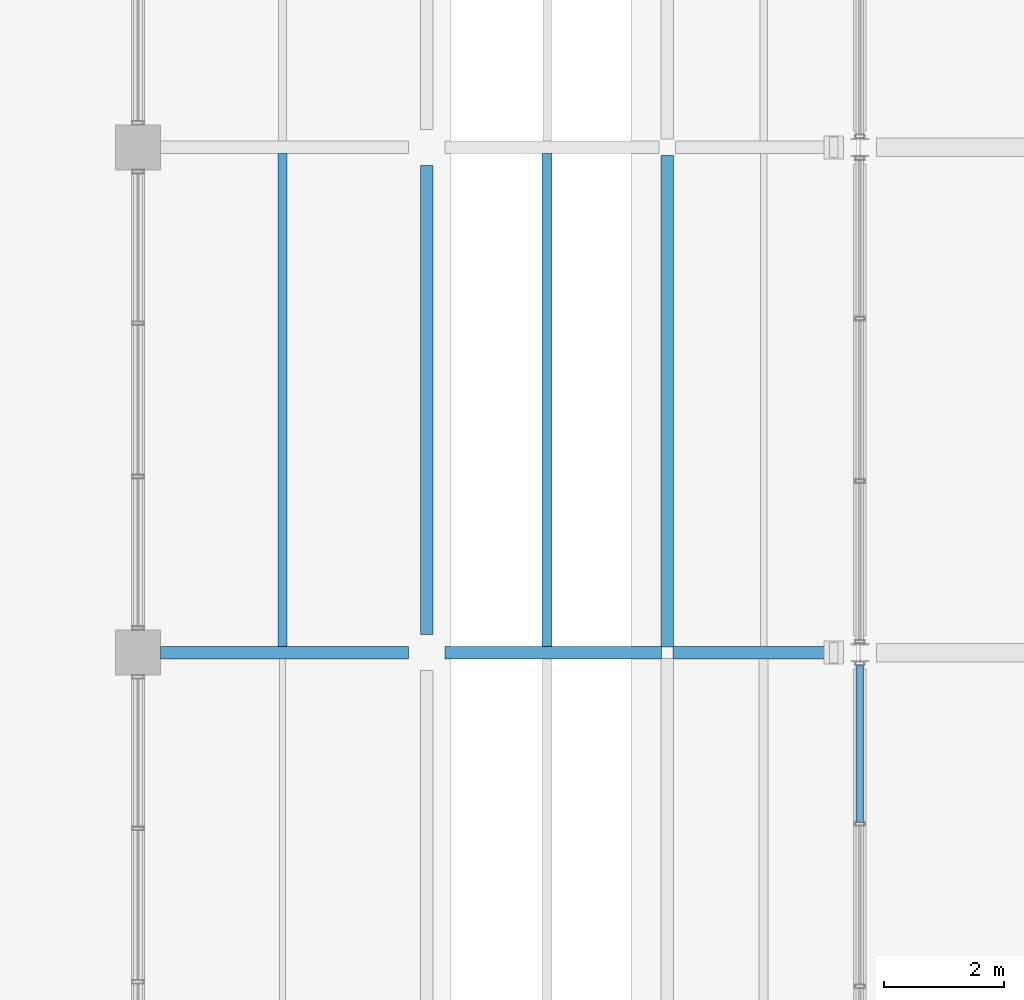
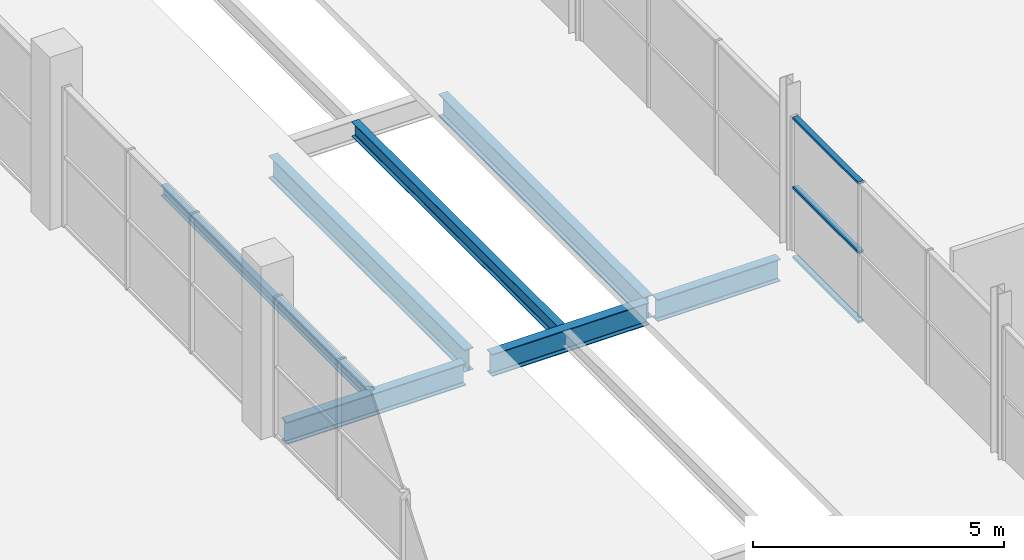
# One storey, part 96 of 161: 7 beams, 3 members, 1 element without a shape of its own.
"""IFC4 building model written with IfcOpenShell, lengths in metres."""

from ifc_helpers import new_model, si_unit, direction, frame, origin, origin_2d, place, context, subcontext, project, spatial, hollow_rectangle, i_section, extrude, material, material_profile, profile_set, type_object, element, aggregate, save


model = new_model("IFC4")

# Units and contexts
model_context = context("Model", 3, precision=1e-05, world=origin(), true_north=direction((0.0, 1.0)))
body_context = subcontext(model_context, "Body", "Model", "MODEL_VIEW")
ifc_project = project(units=[si_unit("LENGTHUNIT", "METRE"), si_unit("AREAUNIT", "SQUARE_METRE"), si_unit("VOLUMEUNIT", "CUBIC_METRE"), si_unit("PLANEANGLEUNIT", "RADIAN"), si_unit("MASSUNIT", "GRAM", prefix="KILO"), si_unit("THERMODYNAMICTEMPERATUREUNIT", "KELVIN")], contexts=[model_context])

# Site, building, storey
site_placement = place(None, origin())
site = spatial("IfcSite", under=ifc_project, at=site_placement, CompositionType="ELEMENT")
building_placement = place(site_placement, origin())
building = spatial("IfcBuilding", under=site, at=building_placement, Name="Nduvali Passage Aquatics Centre", CompositionType="ELEMENT")
storey_placement = place(building_placement, frame((0.0, 0.0, 4.800048828125)))
storey = spatial("IfcBuildingStorey", under=building, at=storey_placement, Name="L01", CompositionType="ELEMENT", Elevation=4.800048828125)

# Curtain wall, members
ifc_material_1 = material(Name="Aluminium EN AW-6063 T6", Category="aluminium")
curtain_wall_type = type_object("IfcCurtainWallType", Name="ENV-CW-FOYR", PredefinedType="NOTDEFINED", material=ifc_material_1)
curtain_wall_placement = place(storey_placement, origin())
curtain_wall = element("IfcCurtainWall", 1, at=curtain_wall_placement, inside=storey, type_object=curtain_wall_type, Name="L01 Passage Foyer Upper CW 070", PredefinedType="NOTDEFINED")
ifc_material_profile_1 = material_profile(ifc_material_1, hollow_rectangle(XDim=0.1201171875, YDim=0.06005859375, WallThickness=0.00390625, at=origin_2d()), Name="ALU TRANSOM 120x60x4")
ifc_profile_set_1 = profile_set([ifc_material_profile_1], Name="Aluminium EN AW-6063 T6")
member_type = type_object("IfcMemberType", Name="ENV-MEM-TRN60", PredefinedType="USERDEFINED", material=ifc_profile_set_1)
member_1_placement = place(storey_placement, frame((138.0, 39.179931640625, 0.030029296875), z_axis=(0.0, 1.0, 0.0), x_axis=(-1.0, 0.0, 0.0)))
member_1 = element("IfcMember", 2, at=member_1_placement, type_object=member_type, Name="Passage Foyer Upper CW Transom B3-R0", ObjectType="TRANSOM", PredefinedType="USERDEFINED", context=body_context, shape_type="SweptSolid", body=[
    extrude(hollow_rectangle(XDim=0.1201171875, YDim=0.06005859375, WallThickness=0.00390625, at=origin_2d()), origin(), (0.0, 0.0, 1.0), 2.610107421875),
])
member_2_placement = place(storey_placement, frame((138.0, 39.179931640625, 1.71826171875), z_axis=(0.0, 1.0, 0.0), x_axis=(-1.0, 0.0, 0.0)))
member_2 = element("IfcMember", 3, at=member_2_placement, type_object=member_type, Name="Passage Foyer Upper CW Transom B3-R1", ObjectType="TRANSOM", PredefinedType="USERDEFINED", context=body_context, shape_type="SweptSolid", body=[
    extrude(hollow_rectangle(XDim=0.1201171875, YDim=0.06005859375, WallThickness=0.00390625, at=origin_2d()), origin(), (0.0, 0.0, 1.0), 2.610107421875),
])
member_3_placement = place(storey_placement, frame((138.0, 39.179931640625, 3.40625), z_axis=(0.0, 1.0, 0.0), x_axis=(-1.0, 0.0, 0.0)))
member_3 = element("IfcMember", 4, at=member_3_placement, type_object=member_type, Name="Passage Foyer Upper CW Transom B3-R2", ObjectType="TRANSOM", PredefinedType="USERDEFINED", context=body_context, shape_type="SweptSolid", body=[
    extrude(hollow_rectangle(XDim=0.1201171875, YDim=0.06005859375, WallThickness=0.00390625, at=origin_2d()), origin(), (0.0, 0.0, 1.0), 2.610107421875),
])
aggregate(curtain_wall, [member_1, member_2, member_3])

# Beams
ifc_material_2 = material(Name="Steel S355", Category="steel")
ifc_material_profile_2 = material_profile(ifc_material_2, i_section(OverallWidth=0.210693359375, OverallDepth=0.53955078125, WebThickness=0.01171875, FlangeThickness=0.018798828125, FilletRadius=0.0126953125, at=origin_2d()), Name="UKB 533x210x109")
ifc_profile_set_2 = profile_set([ifc_material_profile_2], Name="Steel S355")
beam_type_1 = type_object("IfcBeamType", Name="STR-BM-UKB533", PredefinedType="BEAM", material=ifc_profile_set_2)
beam_1_placement = place(storey_placement, frame((126.375, 42.0, -0.273681640625), z_axis=(1.0, 0.0, 0.0), x_axis=(0.0, 1.0, 0.0)))
element("IfcBeam", 5, at=beam_1_placement, inside=storey, type_object=beam_type_1, Name="L01 Primary X-Girder B6-0475", PredefinedType="BEAM", context=body_context, shape_type="SweptSolid", body=[
    extrude(i_section(OverallWidth=0.210693359375, OverallDepth=0.53955078125, WebThickness=0.01171875, FlangeThickness=0.018798828125, FilletRadius=0.0126953125, at=origin_2d()), origin(), (0.0, 0.0, 1.0), 4.125),
])
beam_2_placement = place(storey_placement, frame((131.10009765625, 42.0, -0.273681640625), z_axis=(1.0, 0.0, 0.0), x_axis=(0.0, 1.0, 0.0)))
element("IfcBeam", 6, at=beam_2_placement, inside=storey, type_object=beam_type_1, Name="L01 Primary X-Girder B6-0476", PredefinedType="BEAM", context=body_context, shape_type="SweptSolid", body=[
    extrude(i_section(OverallWidth=0.210693359375, OverallDepth=0.53955078125, WebThickness=0.01171875, FlangeThickness=0.018798828125, FilletRadius=0.0126953125, at=origin_2d()), origin(), (0.0, 0.0, 1.0), 3.60302734375),
])
beam_3_placement = place(storey_placement, frame((134.89697265625, 42.0, -0.273681640625), z_axis=(1.0, 0.0, 0.0), x_axis=(0.0, 1.0, 0.0)))
element("IfcBeam", 7, at=beam_3_placement, inside=storey, type_object=beam_type_1, Name="L01 Primary X-Girder B6-0477", PredefinedType="BEAM", context=body_context, shape_type="SweptSolid", body=[
    extrude(i_section(OverallWidth=0.210693359375, OverallDepth=0.53955078125, WebThickness=0.01171875, FlangeThickness=0.018798828125, FilletRadius=0.0126953125, at=origin_2d()), origin(), (0.0, 0.0, 1.0), 2.828125),
])
beam_4_placement = place(storey_placement, frame((130.800048828125, 42.300048828125, -0.273681640625), z_axis=(0.0, 1.0, 0.0), x_axis=(-1.0, 0.0, 0.0)))
element("IfcBeam", 8, at=beam_4_placement, inside=storey, type_object=beam_type_1, Name="L01 Primary Y-Girder B6-0641", PredefinedType="BEAM", context=body_context, shape_type="SweptSolid", body=[
    extrude(i_section(OverallWidth=0.210693359375, OverallDepth=0.53955078125, WebThickness=0.01171875, FlangeThickness=0.018798828125, FilletRadius=0.0126953125, at=origin_2d()), origin(), (0.0, 0.0, 1.0), 7.800048828125),
])
beam_5_placement = place(storey_placement, frame((134.800048828125, 42.096923828125, -0.273681640625), z_axis=(0.0, 1.0, 0.0), x_axis=(-1.0, 0.0, 0.0)))
element("IfcBeam", 9, at=beam_5_placement, inside=storey, type_object=beam_type_1, Name="L01 Primary Y-Girder B6-0652", PredefinedType="BEAM", context=body_context, shape_type="SweptSolid", body=[
    extrude(i_section(OverallWidth=0.210693359375, OverallDepth=0.53955078125, WebThickness=0.01171875, FlangeThickness=0.018798828125, FilletRadius=0.0126953125, at=origin_2d()), origin(), (0.0, 0.0, 1.0), 8.16650390625),
])
ifc_material_profile_3 = material_profile(ifc_material_2, i_section(OverallWidth=0.169921875, OverallDepth=0.360107421875, WebThickness=0.008056640625, FlangeThickness=0.0126953125, FilletRadius=0.01806640625, at=origin_2d()), Name="IPE 360")
ifc_profile_set_3 = profile_set([ifc_material_profile_3], Name="Steel S355")
beam_type_2 = type_object("IfcBeamType", Name="STR-JST-IPE360", PredefinedType="JOIST", material=ifc_profile_set_3)
beam_6_placement = place(storey_placement, frame((132.800048828125, 42.10546875, -0.18408203125), z_axis=(0.0, 1.0, 0.0), x_axis=(-1.0, 0.0, 0.0)))
element("IfcBeam", 10, at=beam_6_placement, inside=storey, type_object=beam_type_2, Name="L01 Secondary Joist J6-0759", PredefinedType="JOIST", context=body_context, shape_type="SweptSolid", body=[
    extrude(i_section(OverallWidth=0.169921875, OverallDepth=0.360107421875, WebThickness=0.008056640625, FlangeThickness=0.0126953125, FilletRadius=0.01806640625, at=origin_2d()), origin(), (0.0, 0.0, 1.0), 8.189208984375),
])
ifc_material_profile_4 = material_profile(ifc_material_2, i_section(OverallWidth=0.146484375, OverallDepth=0.256103515625, WebThickness=0.00634765625, FlangeThickness=0.010986328125, FilletRadius=0.007568359375, at=origin_2d()), Name="UKB 254x146x37")
ifc_profile_set_4 = profile_set([ifc_material_profile_4], Name="Steel S355")
beam_type_3 = type_object("IfcBeamType", Name="STR-JST-UKB254", PredefinedType="JOIST", material=ifc_profile_set_4)
beam_7_placement = place(storey_placement, frame((128.39990234375, 42.10546875, -0.132080078125), z_axis=(0.0, 1.0, 0.0), x_axis=(-1.0, 0.0, 0.0)))
element("IfcBeam", 11, at=beam_7_placement, inside=storey, type_object=beam_type_3, Name="L01 Secondary Joist J4-0758", PredefinedType="JOIST", context=body_context, shape_type="SweptSolid", body=[
    extrude(i_section(OverallWidth=0.146484375, OverallDepth=0.256103515625, WebThickness=0.00634765625, FlangeThickness=0.010986328125, FilletRadius=0.007568359375, at=origin_2d()), origin(), (0.0, 0.0, 1.0), 8.189208984375),
])

save(model, "model.ifc")
